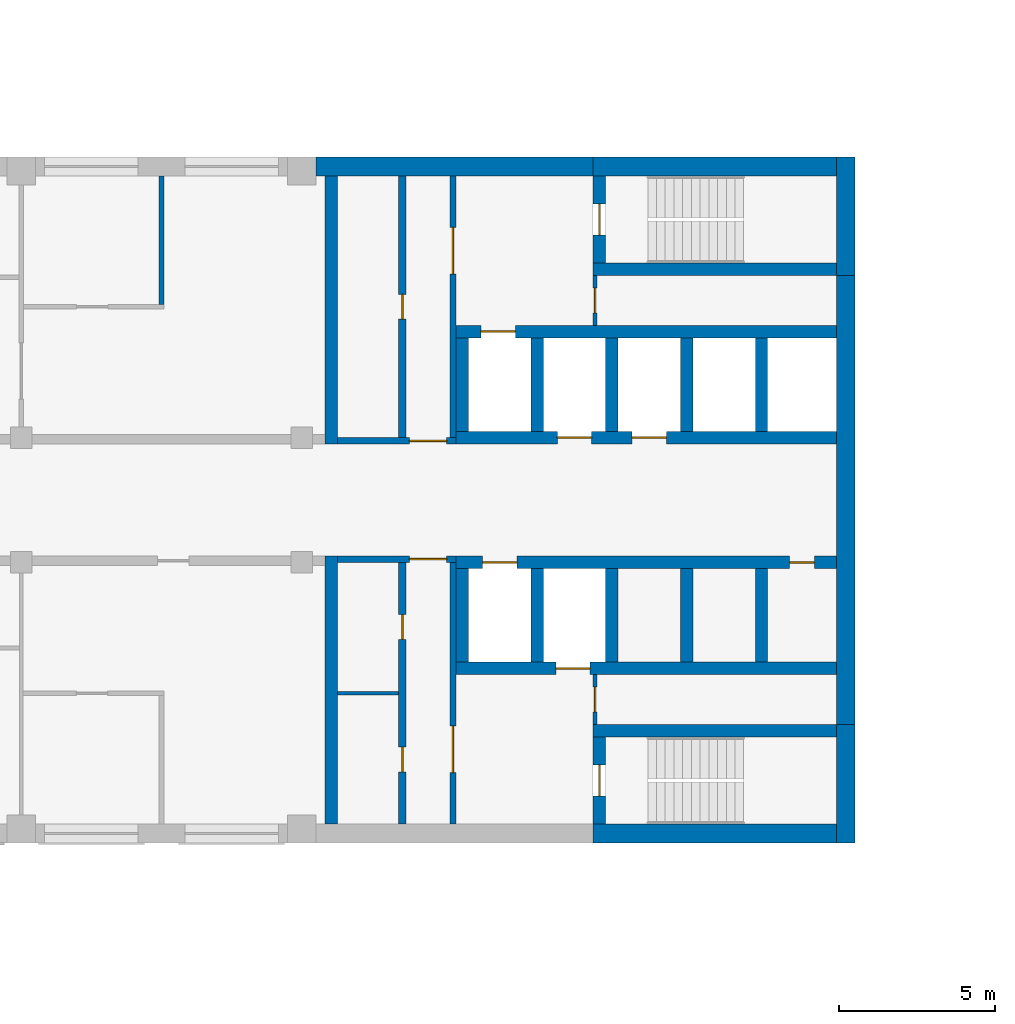
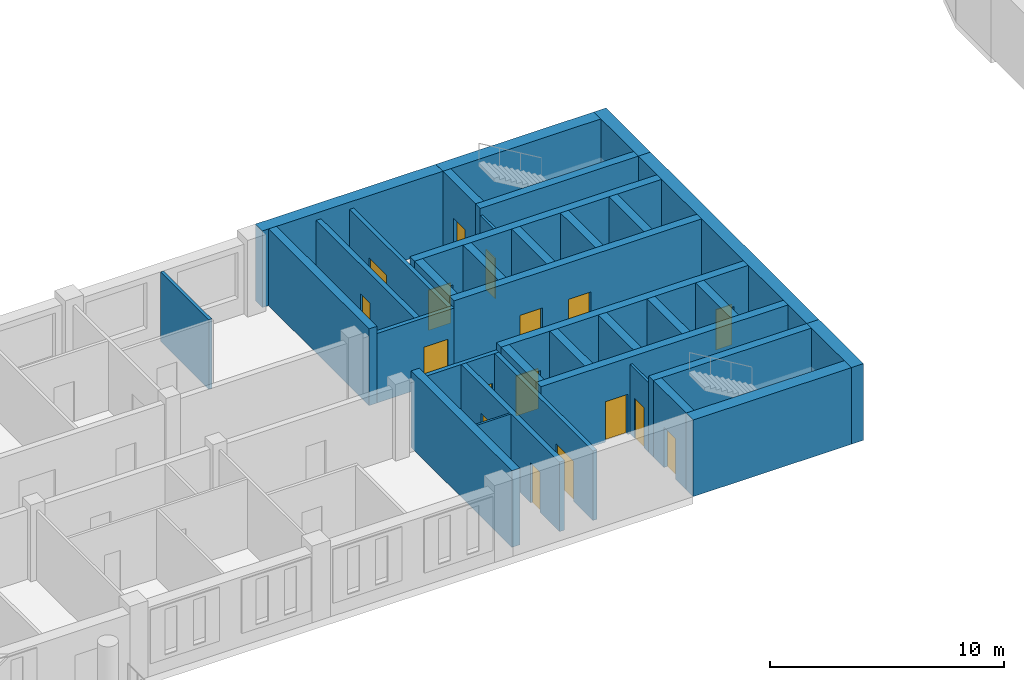
# One storey, part 6 of 15: 36 walls, 17 doors, 17 openings.
"""IFC4 building model written with IfcOpenShell, lengths in metres."""

import ifcopenshell
import ifcopenshell.guid

model = None  # the IFC model being written
_history = None  # IfcOwnerHistory: only IFC2X3 demands one
_inside = {}  # id of a spatial element -> (the spatial element, [elements in it])
_under = {}  # id of a project, library or spatial element -> (it, [spatial elements below it])
_declared = {}  # id of a project -> (the project, [libraries it declares])
_typed = {}  # id of a type object -> (the type object, [elements of that type])
_made_of = {}  # id of a material, layer set ... -> (it, [elements and type objects made of it])


def new_model(schema):
    """Start an empty IFC model of exactly this schema.

    Asked for "IFC4X3", IfcOpenShell would pick the latest addendum, in which some entities
    have other attributes; the version numbers below select the first issue.
    IFC2X3 requires an IfcOwnerHistory on every rooted entity: one is made here for all.
    """
    global model, _history
    if schema == "IFC4X3":
        model = ifcopenshell.file(schema_version=(4, 3, 0, 0))
    else:
        model = ifcopenshell.file(schema=schema)
    _inside.clear()
    _under.clear()
    _declared.clear()
    _typed.clear()
    _made_of.clear()
    _history = None
    if model.schema == "IFC2X3":
        org = make("IfcOrganization", Name="unknown")
        user = make(
            "IfcPersonAndOrganization",
            ThePerson=make("IfcPerson", FamilyName="unknown"),
            TheOrganization=org,
        )
        app = make(
            "IfcApplication",
            ApplicationDeveloper=org,
            Version="unknown",
            ApplicationFullName="unknown",
            ApplicationIdentifier="unknown",
        )
        _history = make(
            "IfcOwnerHistory",
            OwningUser=user,
            OwningApplication=app,
            ChangeAction="ADDED",
            CreationDate=0,
        )
    return model


def make(cls, **values):
    """One entity of the class cls with the attributes given. An attribute that is None is left unset."""
    return model.create_entity(
        cls, **{name: value for name, value in values.items() if value is not None}
    )


def rooted(cls, **values):
    """An entity with a GlobalId (a new one), such as an element, a storey or a relation."""
    return make(cls, GlobalId=ifcopenshell.guid.new(), OwnerHistory=_history, **values)


def si_unit(unit_type, name, prefix=None):
    """IfcSIUnit, for example si_unit("LENGTHUNIT", "METRE", prefix="MILLI")."""
    return make("IfcSIUnit", UnitType=unit_type, Prefix=prefix, Name=name)


def assignment(units):
    """IfcUnitAssignment: the units of a project."""
    return None if units is None else make("IfcUnitAssignment", Units=units)


def point(xyz):
    """IfcCartesianPoint."""
    return None if xyz is None else make("IfcCartesianPoint", Coordinates=xyz)


def direction(xyz):
    """IfcDirection."""
    return None if xyz is None else make("IfcDirection", DirectionRatios=xyz)


def frame(location, z_axis=None, x_axis=None):
    """IfcAxis2Placement3D, a coordinate frame: its origin and axes. An axis left out is left unset."""
    return make(
        "IfcAxis2Placement3D",
        Location=point(location),
        Axis=direction(z_axis),
        RefDirection=direction(x_axis),
    )


def frame_2d(location, x_axis=None):
    """IfcAxis2Placement2D, a coordinate frame in the plane: its origin and x axis."""
    return make(
        "IfcAxis2Placement2D", Location=point(location), RefDirection=direction(x_axis)
    )


def origin():
    """The frame at (0, 0, 0) with its axes left unset."""
    return frame((0.0, 0.0, 0.0))


def place(relative_to, where):
    """IfcLocalPlacement: puts the frame where relative to a parent placement (None: the world)."""
    return make(
        "IfcLocalPlacement", PlacementRelTo=relative_to, RelativePlacement=where
    )


def context(
    kind, dimensions, precision=None, world=None, true_north=None, identifier=None
):
    """IfcGeometricRepresentationContext, for example the 3D "Model" context."""
    return make(
        "IfcGeometricRepresentationContext",
        ContextIdentifier=identifier,
        ContextType=kind,
        CoordinateSpaceDimension=dimensions,
        Precision=precision,
        WorldCoordinateSystem=world,
        TrueNorth=true_north,
    )


def subcontext(parent, identifier, kind, view, scale=None):
    """IfcGeometricRepresentationSubContext, for example "Body" below "Model"."""
    return make(
        "IfcGeometricRepresentationSubContext",
        ContextIdentifier=identifier,
        ContextType=kind,
        ParentContext=parent,
        TargetScale=scale,
        TargetView=view,
    )


def project(units=None, contexts=None):
    """IfcProject with its units and contexts."""
    return rooted(
        "IfcProject",
        Name="project",
        RepresentationContexts=contexts,
        UnitsInContext=assignment(units),
    )


def spatial(cls, under=None, at=None, **own):
    """A site, building, storey or space (cls), placed at a placement, below another one or the project."""
    s = rooted(cls, ObjectPlacement=at, **own)
    if under is not None:
        _under.setdefault(under.id(), (under, []))[1].append(s)
    return s


def profile(cls, at=None, kind="AREA", **sizes):
    """A parametric profile (cls). Its sizes go by their IFC names, for example OverallWidth=200.0."""
    return make(cls, ProfileType=kind, Position=at, **sizes)


def rectangle(**sizes):
    """IfcRectangleProfileDef."""
    return profile("IfcRectangleProfileDef", **sizes)


def extrude(swept, where, along, depth):
    """IfcExtrudedAreaSolid: the profile swept, set in the frame where, extruded along a direction by depth."""
    return make(
        "IfcExtrudedAreaSolid",
        SweptArea=swept,
        Position=where,
        ExtrudedDirection=direction(along),
        Depth=depth,
    )


def shape(context_of_items, identifier, shape_type, items):
    """IfcShapeRepresentation: the items that make up one representation, for example the "Body"."""
    return make(
        "IfcShapeRepresentation",
        ContextOfItems=context_of_items,
        RepresentationIdentifier=identifier,
        RepresentationType=shape_type,
        Items=items,
    )


def material(Name=None, Category=None):
    """IfcMaterial."""
    return make("IfcMaterial", Name=Name, Category=Category)


def layer(
    of_material, thickness, ventilated=None, Name=None, Category=None, Priority=None
):
    """IfcMaterialLayer: one layer of a wall or slab, of a material (None: an air gap)."""
    return make(
        "IfcMaterialLayer",
        Material=of_material,
        LayerThickness=thickness,
        IsVentilated=ventilated,
        Name=Name,
        Category=Category,
        Priority=Priority,
    )


def layer_set(layers, Name=None):
    """IfcMaterialLayerSet."""
    return make("IfcMaterialLayerSet", MaterialLayers=layers, LayerSetName=Name)


def made_of(thing, what):
    """Note that an element or type object is made of a material, layer set ...; save() writes the relation."""
    if what is not None:
        _made_of.setdefault(what.id(), (what, []))[1].append(thing)
    return thing


def type_object(cls, material=None, **own):
    """A type object (cls), such as IfcWallType, which elements share."""
    return made_of(rooted(cls, **own), material)


def element(
    cls,
    number,
    at=None,
    inside=None,
    cuts=None,
    type_object=None,
    material=None,
    context=None,
    identifier="Body",
    shape_type=None,
    held_by="IfcProductDefinitionShape",
    body=None,
    shapes=None,
    **own,
):
    """One element of the class cls, such as IfcWall. Its Tag is "e" and its number.

    at: its placement. inside: the storey or other place that contains it. cuts: it is an
    opening in that element (IfcRelVoidsElement). A single representation is given by context,
    identifier, shape_type and body (its items); several are given by shapes. held_by: the class
    of the entity that holds the representations. save() writes the other relations.
    """
    e = rooted(cls, Tag="e%d" % number, ObjectPlacement=at, **own)
    if body is not None:
        shapes = [shape(context, identifier, shape_type, body)]
    if shapes is not None:
        e.Representation = make(held_by, Representations=shapes)
    if inside is not None:
        _inside.setdefault(inside.id(), (inside, []))[1].append(e)
    if cuts is not None:
        rooted(
            "IfcRelVoidsElement", RelatingBuildingElement=cuts, RelatedOpeningElement=e
        )
    if type_object is not None:
        _typed.setdefault(type_object.id(), (type_object, []))[1].append(e)
    return made_of(e, material)


def fill(opening, filler):
    """IfcRelFillsElement: the door or window that sits in an opening."""
    return rooted(
        "IfcRelFillsElement",
        RelatingOpeningElement=opening,
        RelatedBuildingElement=filler,
    )


def aggregate(whole, parts):
    """IfcRelAggregates: a whole, such as a stair, and the parts it consists of."""
    return rooted("IfcRelAggregates", RelatingObject=whole, RelatedObjects=parts)


def save(model, path):
    """Write the relations noted so far, then the file.

    IfcRelAggregates (storeys below a building ...), IfcRelContainedInSpatialStructure (elements
    in a storey), IfcRelDefinesByType, IfcRelAssociatesMaterial and IfcRelDeclares: one each for
    every whole, place, type object, material and project.
    """
    for whole, parts in _under.values():
        aggregate(whole, parts)
    for where, things in _inside.values():
        rooted(
            "IfcRelContainedInSpatialStructure",
            RelatedElements=things,
            RelatingStructure=where,
        )
    for kind, things in _typed.values():
        rooted("IfcRelDefinesByType", RelatedObjects=things, RelatingType=kind)
    for what, things in _made_of.values():
        rooted("IfcRelAssociatesMaterial", RelatedObjects=things, RelatingMaterial=what)
    for by, libraries in _declared.values():
        rooted("IfcRelDeclares", RelatingContext=by, RelatedDefinitions=libraries)
    model.write(path)


model = new_model("IFC4")

# Units and contexts
model_context = context("Model", 3, precision=1e-05, world=origin(), true_north=direction((0.0, 1.0)))
body_context = subcontext(model_context, "Body", "Model", "MODEL_VIEW")
ifc_project = project(units=[si_unit("LENGTHUNIT", "METRE"), si_unit("AREAUNIT", "SQUARE_METRE"), si_unit("VOLUMEUNIT", "CUBIC_METRE"), si_unit("PLANEANGLEUNIT", "RADIAN"), si_unit("MASSUNIT", "GRAM", prefix="KILO")], contexts=[model_context])

# Site, building, storey
site_placement = place(None, origin())
site = spatial("IfcSite", under=ifc_project, at=site_placement, CompositionType="ELEMENT")
building_placement = place(site_placement, origin())
building = spatial("IfcBuilding", under=site, at=building_placement, Name="Skarvind Civic Tower", CompositionType="ELEMENT")
storey_placement = place(building_placement, frame((0.0, 0.0, 55.5)))
storey = spatial("IfcBuildingStorey", under=building, at=storey_placement, Name="L12", CompositionType="ELEMENT", Elevation=55.5)

# Wall, opening, door
ifc_material_1 = material(Name="Fire-rated masonry partition", Category="masonry")
ifc_layer_1 = layer(ifc_material_1, 0.199951171875)
ifc_layer_set_1 = layer_set([ifc_layer_1], Name="Core enclosure wall 200")
wall_type_1 = type_object("IfcWallType", Name="Core enclosure wall 200", PredefinedType="PARTITIONING", material=ifc_layer_set_1)
wall_1_placement = place(storey_placement, frame((95.199951171875, 126.10009765625, 0.0), z_axis=(0.0, 0.0, 1.0), x_axis=(-1.0, 0.0, 0.0)))
wall_1 = element("IfcWall", 1, at=wall_1_placement, inside=storey, type_object=wall_type_1, Name="Core wall C1", PredefinedType="PARTITIONING", context=body_context, shape_type="SweptSolid", body=[
    extrude(rectangle(XDim=3.800048828125, YDim=0.199951171875, at=frame_2d((1.89990234375, 0.0))), origin(), (0.0, 0.0, 1.0), 3.625),
])
opening_1_placement = place(wall_1_placement, frame((0.300048828125, 0.0, 0.0)))
opening_1 = element("IfcOpeningElement", 2, at=opening_1_placement, cuts=wall_1, Name="Opening D-L12-C1-05", PredefinedType="OPENING", context=body_context, shape_type="SweptSolid", body=[
    extrude(rectangle(XDim=1.199951171875, YDim=2.10009765625, at=frame_2d((0.60009765625, 1.050048828125))), frame((0.0, 0.10986328125, 0.0), z_axis=(0.0, -1.0, 0.0), x_axis=(1.0, 0.0, 0.0)), (0.0, 0.0, 1.0), 0.219970703125),
])
ifc_material_2 = material(Name="Fire-rated steel door", Category="steel")
door_type_1 = type_object("IfcDoorType", Name="Core lobby door 1200", OperationType="NOTDEFINED", PredefinedType="DOOR", material=ifc_material_2)
door_1_placement = place(opening_1_placement, origin())
door_1 = element("IfcDoor", 3, at=door_1_placement, inside=storey, type_object=door_type_1, Name="Fire door", OperationType="DOUBLE_DOOR_SINGLE_SWING", OverallHeight=2.10009765625, OverallWidth=1.199951171875, PredefinedType="DOOR", context=body_context, shape_type="SweptSolid", body=[
    extrude(rectangle(XDim=1.199951171875, YDim=2.10009765625, at=frame_2d((0.60009765625, 1.050048828125))), frame((0.0, 0.02490234375, 0.0), z_axis=(0.0, -1.0, 0.0), x_axis=(1.0, 0.0, 0.0)), (0.0, 0.0, 1.0), 0.050048828125),
])
fill(opening_1, door_1)

wall_2_placement = place(storey_placement, frame((95.10009765625, 117.60009765625, 0.0), z_axis=(0.0, 0.0, 1.0), x_axis=(0.0, 1.0, 0.0)))
wall_2 = element("IfcWall", 4, at=wall_2_placement, inside=storey, type_object=wall_type_1, Name="Core wall C1", PredefinedType="PARTITIONING", context=body_context, shape_type="SweptSolid", body=[
    extrude(rectangle(XDim=8.39990234375, YDim=0.199951171875, at=frame_2d((4.199951171875, 0.0))), origin(), (0.0, 0.0, 1.0), 3.625),
])
opening_2_placement = place(wall_2_placement, frame((1.64990234375, 0.0, 0.0)))
opening_2 = element("IfcOpeningElement", 5, at=opening_2_placement, cuts=wall_2, Name="Opening D-L12-C1-06", PredefinedType="OPENING", context=body_context, shape_type="SweptSolid", body=[
    extrude(rectangle(XDim=1.5, YDim=2.10009765625, at=frame_2d((0.75, 1.050048828125))), frame((0.0, 0.10986328125, 0.0), z_axis=(0.0, -1.0, 0.0), x_axis=(1.0, 0.0, 0.0)), (0.0, 0.0, 1.0), 0.219970703125),
])
door_type_2 = type_object("IfcDoorType", Name="Fire door 1500", OperationType="NOTDEFINED", PredefinedType="DOOR", material=ifc_material_2)
door_2_placement = place(opening_2_placement, origin())
door_2 = element("IfcDoor", 6, at=door_2_placement, inside=storey, type_object=door_type_2, Name="Fire door", OperationType="DOUBLE_DOOR_SINGLE_SWING", OverallHeight=2.10009765625, OverallWidth=1.5, PredefinedType="DOOR", context=body_context, shape_type="SweptSolid", body=[
    extrude(rectangle(XDim=1.5, YDim=2.10009765625, at=frame_2d((0.75, 1.050048828125))), frame((0.0, 0.02490234375, 0.0), z_axis=(0.0, -1.0, 0.0), x_axis=(1.0, 0.0, 0.0)), (0.0, 0.0, 1.0), 0.050048828125),
])
fill(opening_2, door_2)

wall_3_placement = place(storey_placement, frame((91.39990234375, 129.89990234375, 0.0), z_axis=(0.0, 0.0, 1.0), x_axis=(1.0, 0.0, 0.0)))
wall_3 = element("IfcWall", 7, at=wall_3_placement, inside=storey, type_object=wall_type_1, Name="Core wall C1", PredefinedType="PARTITIONING", context=body_context, shape_type="SweptSolid", body=[
    extrude(rectangle(XDim=3.800048828125, YDim=0.199951171875, at=frame_2d((1.89990234375, 0.0))), origin(), (0.0, 0.0, 1.0), 3.625),
])
opening_3_placement = place(wall_3_placement, frame((2.300048828125, 0.0, 0.0)))
opening_3 = element("IfcOpeningElement", 8, at=opening_3_placement, cuts=wall_3, Name="Opening D-L12-C1-11", PredefinedType="OPENING", context=body_context, shape_type="SweptSolid", body=[
    extrude(rectangle(XDim=1.199951171875, YDim=2.10009765625, at=frame_2d((0.60009765625, 1.050048828125))), frame((0.0, 0.10986328125, 0.0), z_axis=(0.0, -1.0, 0.0), x_axis=(1.0, 0.0, 0.0)), (0.0, 0.0, 1.0), 0.219970703125),
])
door_3_placement = place(opening_3_placement, origin())
door_3 = element("IfcDoor", 9, at=door_3_placement, inside=storey, type_object=door_type_1, Name="Fire door", OperationType="DOUBLE_DOOR_SINGLE_SWING", OverallHeight=2.10009765625, OverallWidth=1.199951171875, PredefinedType="DOOR", context=body_context, shape_type="SweptSolid", body=[
    extrude(rectangle(XDim=1.199951171875, YDim=2.10009765625, at=frame_2d((0.60009765625, 1.050048828125))), frame((0.0, 0.02490234375, 0.0), z_axis=(0.0, -1.0, 0.0), x_axis=(1.0, 0.0, 0.0)), (0.0, 0.0, 1.0), 0.050048828125),
])
fill(opening_3, door_3)

wall_4_placement = place(storey_placement, frame((95.10009765625, 130.0, 0.0), z_axis=(0.0, 0.0, 1.0), x_axis=(0.0, 1.0, 0.0)))
wall_4 = element("IfcWall", 10, at=wall_4_placement, inside=storey, type_object=wall_type_1, Name="Core wall C1", PredefinedType="PARTITIONING", context=body_context, shape_type="SweptSolid", body=[
    extrude(rectangle(XDim=8.39990234375, YDim=0.199951171875, at=frame_2d((4.199951171875, 0.0))), origin(), (0.0, 0.0, 1.0), 3.625),
])
opening_4_placement = place(wall_4_placement, frame((5.25, 0.0, 0.0)))
opening_4 = element("IfcOpeningElement", 11, at=opening_4_placement, cuts=wall_4, Name="Opening D-L12-C1-12", PredefinedType="OPENING", context=body_context, shape_type="SweptSolid", body=[
    extrude(rectangle(XDim=1.5, YDim=2.10009765625, at=frame_2d((0.75, 1.050048828125))), frame((0.0, 0.10986328125, 0.0), z_axis=(0.0, -1.0, 0.0), x_axis=(1.0, 0.0, 0.0)), (0.0, 0.0, 1.0), 0.219970703125),
])
door_4_placement = place(opening_4_placement, origin())
door_4 = element("IfcDoor", 12, at=door_4_placement, inside=storey, type_object=door_type_2, Name="Fire door", OperationType="DOUBLE_DOOR_SINGLE_SWING", OverallHeight=2.10009765625, OverallWidth=1.5, PredefinedType="DOOR", context=body_context, shape_type="SweptSolid", body=[
    extrude(rectangle(XDim=1.5, YDim=2.10009765625, at=frame_2d((0.75, 1.050048828125))), frame((0.0, 0.02490234375, 0.0), z_axis=(0.0, -1.0, 0.0), x_axis=(1.0, 0.0, 0.0)), (0.0, 0.0, 1.0), 0.050048828125),
])
fill(opening_4, door_4)

# Walls
ifc_material_3 = material(Name="Fire-rated plasterboard partition")
ifc_layer_2 = layer(ifc_material_3, 0.10009765625)
ifc_layer_set_2 = layer_set([ifc_layer_2], Name="Core partition wall 100")
wall_type_2 = type_object("IfcWallType", Name="Core partition wall 100", PredefinedType="PARTITIONING", material=ifc_layer_set_2)
wall_5_placement = place(storey_placement, frame((93.35009765625, 121.800048828125, 0.0), z_axis=(0.0, 0.0, 1.0), x_axis=(-1.0, 0.0, 0.0)))
element("IfcWall", 13, at=wall_5_placement, inside=storey, type_object=wall_type_2, Name="Core wall C1", PredefinedType="PARTITIONING", context=body_context, shape_type="SweptSolid", body=[
    extrude(rectangle(XDim=1.9501953125, YDim=0.10009765625, at=frame_2d((0.97509765625, 0.0))), origin(), (0.0, 0.0, 1.0), 3.625),
])
ifc_material_4 = material(Name="Concrete C80", Category="concrete")
ifc_layer_3 = layer(ifc_material_4, 0.39990234375)
ifc_layer_set_3 = layer_set([ifc_layer_3], Name="Core wall 400 C80")
wall_type_3 = type_object("IfcWallType", Name="Core wall 400 C80", PredefinedType="SHEAR", material=ifc_layer_set_3)
wall_6_placement = place(storey_placement, frame((107.39990234375, 135.39990234375, 0.0), z_axis=(0.0, 0.0, 1.0), x_axis=(-1.0, 0.0, 0.0)))
element("IfcWall", 14, at=wall_6_placement, inside=storey, type_object=wall_type_3, Name="Core wall C1 south stair inner L12", PredefinedType="SHEAR", context=body_context, shape_type="SweptSolid", body=[
    extrude(rectangle(XDim=7.7998046875, YDim=0.39990234375, at=frame_2d((3.89990234375, 0.0))), origin(), (0.0, 0.0, 1.0), 4.0),
])

# Wall, opening, door
wall_7_placement = place(storey_placement, frame((99.800048828125, 138.39990234375, 0.0), z_axis=(0.0, 0.0, 1.0), x_axis=(0.0, -1.0, 0.0)))
wall_7 = element("IfcWall", 15, at=wall_7_placement, inside=storey, type_object=wall_type_3, Name="Core wall C1 south stair end L12", PredefinedType="SHEAR", context=body_context, shape_type="SweptSolid", body=[
    extrude(rectangle(XDim=2.7998046875, YDim=0.39990234375, at=frame_2d((1.39990234375, 0.0))), origin(), (0.0, 0.0, 1.0), 4.0),
])
opening_5_placement = place(wall_7_placement, frame((0.89990234375, 0.0, 0.0)))
opening_5 = element("IfcOpeningElement", 16, at=opening_5_placement, cuts=wall_7, Name="Opening D-L12-C1-13", PredefinedType="OPENING", context=body_context, shape_type="SweptSolid", body=[
    extrude(rectangle(XDim=1.0, YDim=2.10009765625, at=frame_2d((0.5, 1.050048828125))), frame((0.0, 0.2099609375, 0.0), z_axis=(0.0, -1.0, 0.0), x_axis=(1.0, 0.0, 0.0)), (0.0, 0.0, 1.0), 0.419921875),
])
door_type_3 = type_object("IfcDoorType", Name="Fire door 1000", OperationType="NOTDEFINED", PredefinedType="DOOR", material=ifc_material_2)
door_5_placement = place(opening_5_placement, origin())
door_5 = element("IfcDoor", 17, at=door_5_placement, inside=storey, type_object=door_type_3, Name="Fire door", OperationType="SINGLE_SWING_RIGHT", OverallHeight=2.10009765625, OverallWidth=1.0, PredefinedType="DOOR", context=body_context, shape_type="SweptSolid", body=[
    extrude(rectangle(XDim=1.0, YDim=2.10009765625, at=frame_2d((0.5, 1.050048828125))), frame((0.0, 0.02490234375, 0.0), z_axis=(0.0, -1.0, 0.0), x_axis=(1.0, 0.0, 0.0)), (0.0, 0.0, 1.0), 0.050048828125),
])
fill(opening_5, door_5)

# Wall
wall_8_placement = place(storey_placement, frame((107.39990234375, 120.60009765625, 0.0), z_axis=(0.0, 0.0, 1.0), x_axis=(-1.0, 0.0, 0.0)))
element("IfcWall", 18, at=wall_8_placement, inside=storey, type_object=wall_type_3, Name="Core wall C1 north stair inner L12", PredefinedType="SHEAR", context=body_context, shape_type="SweptSolid", body=[
    extrude(rectangle(XDim=7.7998046875, YDim=0.39990234375, at=frame_2d((3.89990234375, 0.0))), origin(), (0.0, 0.0, 1.0), 4.0),
])

# Wall, opening, door
wall_9_placement = place(storey_placement, frame((99.800048828125, 120.39990234375, 0.0), z_axis=(0.0, 0.0, 1.0), x_axis=(0.0, -1.0, 0.0)))
wall_9 = element("IfcWall", 19, at=wall_9_placement, inside=storey, type_object=wall_type_3, Name="Core wall C1 north stair end L12", PredefinedType="SHEAR", context=body_context, shape_type="SweptSolid", body=[
    extrude(rectangle(XDim=2.7998046875, YDim=0.39990234375, at=frame_2d((1.39990234375, 0.0))), origin(), (0.0, 0.0, 1.0), 4.0),
])
opening_6_placement = place(wall_9_placement, frame((0.89990234375, 0.0, 0.0)))
opening_6 = element("IfcOpeningElement", 20, at=opening_6_placement, cuts=wall_9, Name="Opening D-L12-C1-07", PredefinedType="OPENING", context=body_context, shape_type="SweptSolid", body=[
    extrude(rectangle(XDim=1.0, YDim=2.10009765625, at=frame_2d((0.5, 1.050048828125))), frame((0.0, 0.2099609375, 0.0), z_axis=(0.0, -1.0, 0.0), x_axis=(1.0, 0.0, 0.0)), (0.0, 0.0, 1.0), 0.419921875),
])
door_6_placement = place(opening_6_placement, origin())
door_6 = element("IfcDoor", 21, at=door_6_placement, inside=storey, type_object=door_type_3, Name="Fire door", OperationType="SINGLE_SWING_LEFT", OverallHeight=2.10009765625, OverallWidth=1.0, PredefinedType="DOOR", context=body_context, shape_type="SweptSolid", body=[
    extrude(rectangle(XDim=1.0, YDim=2.10009765625, at=frame_2d((0.5, 1.050048828125))), frame((0.0, 0.02490234375, 0.0), z_axis=(0.0, -1.0, 0.0), x_axis=(1.0, 0.0, 0.0)), (0.0, 0.0, 1.0), 0.050048828125),
])
fill(opening_6, door_6)

# Wall, openings, doors
wall_10_placement = place(storey_placement, frame((107.39990234375, 130.0, 0.0), z_axis=(0.0, 0.0, 1.0), x_axis=(-1.0, 0.0, 0.0)))
wall_10 = element("IfcWall", 22, at=wall_10_placement, inside=storey, type_object=wall_type_3, Name="Core wall C1 south lift row front L12", PredefinedType="SHEAR", context=body_context, shape_type="SweptSolid", body=[
    extrude(rectangle(XDim=12.199951171875, YDim=0.39990234375, at=frame_2d((6.10009765625, 0.0))), origin(), (0.0, 0.0, 1.0), 4.0),
])
opening_7_placement = place(wall_10_placement, frame((5.449951171875, 0.0, 0.0)))
opening_7 = element("IfcOpeningElement", 23, at=opening_7_placement, cuts=wall_10, Name="Opening LD14108", PredefinedType="OPENING", context=body_context, shape_type="SweptSolid", body=[
    extrude(rectangle(XDim=1.10009765625, YDim=2.10009765625, at=frame_2d((0.550048828125, 1.050048828125))), frame((0.0, 0.2099609375, 0.0), z_axis=(0.0, -1.0, 0.0), x_axis=(1.0, 0.0, 0.0)), (0.0, 0.0, 1.0), 0.419921875),
])
opening_8_placement = place(wall_10_placement, frame((7.85009765625, 0.0, 0.0)))
opening_8 = element("IfcOpeningElement", 24, at=opening_8_placement, cuts=wall_10, Name="Opening LD14109", PredefinedType="OPENING", context=body_context, shape_type="SweptSolid", body=[
    extrude(rectangle(XDim=1.10009765625, YDim=2.10009765625, at=frame_2d((0.550048828125, 1.050048828125))), frame((0.0, 0.2099609375, 0.0), z_axis=(0.0, -1.0, 0.0), x_axis=(1.0, 0.0, 0.0)), (0.0, 0.0, 1.0), 0.419921875),
])
ifc_material_5 = material(Name="Stainless steel landing door", Category="steel")
door_type_4 = type_object("IfcDoorType", Name="Lift landing door 1100", OperationType="DOUBLE_DOOR_SLIDING", PredefinedType="DOOR", material=ifc_material_5)
door_7_placement = place(opening_7_placement, origin())
door_7 = element("IfcDoor", 25, at=door_7_placement, inside=storey, type_object=door_type_4, Name="Lift landing door", OperationType="DOUBLE_DOOR_SLIDING", OverallHeight=2.10009765625, OverallWidth=1.10009765625, PredefinedType="DOOR", context=body_context, shape_type="SweptSolid", body=[
    extrude(rectangle(XDim=1.10009765625, YDim=2.10009765625, at=frame_2d((0.550048828125, 1.050048828125))), frame((0.0, 0.02490234375, 0.0), z_axis=(0.0, -1.0, 0.0), x_axis=(1.0, 0.0, 0.0)), (0.0, 0.0, 1.0), 0.050048828125),
])
fill(opening_7, door_7)
door_8_placement = place(opening_8_placement, origin())
door_8 = element("IfcDoor", 26, at=door_8_placement, inside=storey, type_object=door_type_4, Name="Lift landing door", OperationType="DOUBLE_DOOR_SLIDING", OverallHeight=2.10009765625, OverallWidth=1.10009765625, PredefinedType="DOOR", context=body_context, shape_type="SweptSolid", body=[
    extrude(rectangle(XDim=1.10009765625, YDim=2.10009765625, at=frame_2d((0.550048828125, 1.050048828125))), frame((0.0, 0.02490234375, 0.0), z_axis=(0.0, -1.0, 0.0), x_axis=(1.0, 0.0, 0.0)), (0.0, 0.0, 1.0), 0.050048828125),
])
fill(opening_8, door_8)

# Wall, opening, door
wall_11_placement = place(storey_placement, frame((107.39990234375, 133.39990234375, 0.0), z_axis=(0.0, 0.0, 1.0), x_axis=(-1.0, 0.0, 0.0)))
wall_11 = element("IfcWall", 27, at=wall_11_placement, inside=storey, type_object=wall_type_3, Name="Core wall C1 south lift row back L12", PredefinedType="SHEAR", context=body_context, shape_type="SweptSolid", body=[
    extrude(rectangle(XDim=12.199951171875, YDim=0.39990234375, at=frame_2d((6.10009765625, 0.0))), origin(), (0.0, 0.0, 1.0), 4.0),
])
opening_9_placement = place(wall_11_placement, frame((10.300048828125, 0.0, 0.0)))
opening_9 = element("IfcOpeningElement", 28, at=opening_9_placement, cuts=wall_11, Name="Opening LD14110", PredefinedType="OPENING", context=body_context, shape_type="SweptSolid", body=[
    extrude(rectangle(XDim=1.10009765625, YDim=2.10009765625, at=frame_2d((0.550048828125, 1.050048828125))), frame((0.0, 0.2099609375, 0.0), z_axis=(0.0, -1.0, 0.0), x_axis=(1.0, 0.0, 0.0)), (0.0, 0.0, 1.0), 0.419921875),
])
door_9_placement = place(opening_9_placement, origin())
door_9 = element("IfcDoor", 29, at=door_9_placement, inside=storey, type_object=door_type_4, Name="Lift landing door", OperationType="DOUBLE_DOOR_SLIDING", OverallHeight=2.10009765625, OverallWidth=1.10009765625, PredefinedType="DOOR", context=body_context, shape_type="SweptSolid", body=[
    extrude(rectangle(XDim=1.10009765625, YDim=2.10009765625, at=frame_2d((0.550048828125, 1.050048828125))), frame((0.0, 0.02490234375, 0.0), z_axis=(0.0, -1.0, 0.0), x_axis=(1.0, 0.0, 0.0)), (0.0, 0.0, 1.0), 0.050048828125),
])
fill(opening_9, door_9)

# Walls
for number, where, z_axis, x_axis, name in (
    (30, (105.0, 133.199951171875, 0.0), (0.0, 0.0, 1.0), (0.0, -1.0, 0.0), "Core wall C1 south lift row division 1 L12"),
    (31, (102.60009765625, 133.199951171875, 0.0), (0.0, 0.0, 1.0), (0.0, -1.0, 0.0), "Core wall C1 south lift row division 2 L12"),
    (32, (100.199951171875, 133.199951171875, 0.0), (0.0, 0.0, 1.0), (0.0, -1.0, 0.0), "Core wall C1 south lift row division 3 L12"),
    (33, (97.800048828125, 133.199951171875, 0.0), (0.0, 0.0, 1.0), (0.0, -1.0, 0.0), "Core wall C1 south lift row division 4 L12"),
    (34, (95.39990234375, 133.199951171875, 0.0), (0.0, 0.0, 1.0), (0.0, -1.0, 0.0), "Core wall C1 south lift row division 5 L12"),
):
    element("IfcWall", number, at=place(storey_placement, frame(where, z_axis=z_axis, x_axis=x_axis)), inside=storey, type_object=wall_type_3, Name=name, PredefinedType="SHEAR", context=body_context, shape_type="SweptSolid", body=[
        extrude(rectangle(XDim=3.0, YDim=0.39990234375, at=frame_2d((1.5, 0.0))), origin(), (0.0, 0.0, 1.0), 4.0),
    ])

# Wall, openings, doors
wall_12_placement = place(storey_placement, frame((107.39990234375, 126.0, 0.0), z_axis=(0.0, 0.0, 1.0), x_axis=(-1.0, 0.0, 0.0)))
wall_12 = element("IfcWall", 35, at=wall_12_placement, inside=storey, type_object=wall_type_3, Name="Core wall C1 north lift row front L12", PredefinedType="SHEAR", context=body_context, shape_type="SweptSolid", body=[
    extrude(rectangle(XDim=12.199951171875, YDim=0.39990234375, at=frame_2d((6.10009765625, 0.0))), origin(), (0.0, 0.0, 1.0), 4.0),
])
opening_10_placement = place(wall_12_placement, frame((10.25, 0.0, 0.0)))
opening_10 = element("IfcOpeningElement", 36, at=opening_10_placement, cuts=wall_12, Name="Opening LD14105", PredefinedType="OPENING", context=body_context, shape_type="SweptSolid", body=[
    extrude(rectangle(XDim=1.10009765625, YDim=2.10009765625, at=frame_2d((0.550048828125, 1.050048828125))), frame((0.0, 0.2099609375, 0.0), z_axis=(0.0, -1.0, 0.0), x_axis=(1.0, 0.0, 0.0)), (0.0, 0.0, 1.0), 0.419921875),
])
opening_11_placement = place(wall_12_placement, frame((0.699951171875, 0.0, 0.0)))
opening_11 = element("IfcOpeningElement", 37, at=opening_11_placement, cuts=wall_12, Name="Opening D-L12-C1-04", PredefinedType="OPENING", context=body_context, shape_type="SweptSolid", body=[
    extrude(rectangle(XDim=0.800048828125, YDim=2.10009765625, at=frame_2d((0.39990234375, 1.050048828125))), frame((0.0, 0.2099609375, 0.0), z_axis=(0.0, -1.0, 0.0), x_axis=(1.0, 0.0, 0.0)), (0.0, 0.0, 1.0), 0.419921875),
])
door_type_5 = type_object("IfcDoorType", Name="Core riser door 800", OperationType="NOTDEFINED", PredefinedType="DOOR", material=ifc_material_2)
door_10_placement = place(opening_11_placement, origin())
door_10 = element("IfcDoor", 38, at=door_10_placement, inside=storey, type_object=door_type_5, Name="Riser door", OperationType="SINGLE_SWING_LEFT", OverallHeight=2.10009765625, OverallWidth=0.800048828125, PredefinedType="DOOR", context=body_context, shape_type="SweptSolid", body=[
    extrude(rectangle(XDim=0.800048828125, YDim=2.10009765625, at=frame_2d((0.39990234375, 1.050048828125))), frame((0.0, 0.02490234375, 0.0), z_axis=(0.0, -1.0, 0.0), x_axis=(1.0, 0.0, 0.0)), (0.0, 0.0, 1.0), 0.050048828125),
])
fill(opening_11, door_10)
door_11_placement = place(opening_10_placement, origin())
door_11 = element("IfcDoor", 39, at=door_11_placement, inside=storey, type_object=door_type_4, Name="Lift landing door", OperationType="DOUBLE_DOOR_SLIDING", OverallHeight=2.10009765625, OverallWidth=1.10009765625, PredefinedType="DOOR", context=body_context, shape_type="SweptSolid", body=[
    extrude(rectangle(XDim=1.10009765625, YDim=2.10009765625, at=frame_2d((0.550048828125, 1.050048828125))), frame((0.0, 0.02490234375, 0.0), z_axis=(0.0, -1.0, 0.0), x_axis=(1.0, 0.0, 0.0)), (0.0, 0.0, 1.0), 0.050048828125),
])
fill(opening_10, door_11)

# Wall, opening, door
wall_13_placement = place(storey_placement, frame((107.39990234375, 122.60009765625, 0.0), z_axis=(0.0, 0.0, 1.0), x_axis=(-1.0, 0.0, 0.0)))
wall_13 = element("IfcWall", 40, at=wall_13_placement, inside=storey, type_object=wall_type_3, Name="Core wall C1 north lift row back L12", PredefinedType="SHEAR", context=body_context, shape_type="SweptSolid", body=[
    extrude(rectangle(XDim=12.199951171875, YDim=0.39990234375, at=frame_2d((6.10009765625, 0.0))), origin(), (0.0, 0.0, 1.0), 4.0),
])
opening_12_placement = place(wall_13_placement, frame((7.89990234375, 0.0, 0.0)))
opening_12 = element("IfcOpeningElement", 41, at=opening_12_placement, cuts=wall_13, Name="Opening LD14104", PredefinedType="OPENING", context=body_context, shape_type="SweptSolid", body=[
    extrude(rectangle(XDim=1.10009765625, YDim=2.10009765625, at=frame_2d((0.550048828125, 1.050048828125))), frame((0.0, 0.2099609375, 0.0), z_axis=(0.0, -1.0, 0.0), x_axis=(1.0, 0.0, 0.0)), (0.0, 0.0, 1.0), 0.419921875),
])
door_12_placement = place(opening_12_placement, origin())
door_12 = element("IfcDoor", 42, at=door_12_placement, inside=storey, type_object=door_type_4, Name="Lift landing door", OperationType="DOUBLE_DOOR_SLIDING", OverallHeight=2.10009765625, OverallWidth=1.10009765625, PredefinedType="DOOR", context=body_context, shape_type="SweptSolid", body=[
    extrude(rectangle(XDim=1.10009765625, YDim=2.10009765625, at=frame_2d((0.550048828125, 1.050048828125))), frame((0.0, 0.02490234375, 0.0), z_axis=(0.0, -1.0, 0.0), x_axis=(1.0, 0.0, 0.0)), (0.0, 0.0, 1.0), 0.050048828125),
])
fill(opening_12, door_12)

# Walls
for number, where, z_axis, x_axis, name in (
    (43, (105.0, 125.800048828125, 0.0), (0.0, 0.0, 1.0), (0.0, -1.0, 0.0), "Core wall C1 north lift row division 1 L12"),
    (44, (102.60009765625, 125.800048828125, 0.0), (0.0, 0.0, 1.0), (0.0, -1.0, 0.0), "Core wall C1 north lift row division 2 L12"),
    (45, (100.199951171875, 125.800048828125, 0.0), (0.0, 0.0, 1.0), (0.0, -1.0, 0.0), "Core wall C1 north lift row division 3 L12"),
    (46, (97.800048828125, 125.800048828125, 0.0), (0.0, 0.0, 1.0), (0.0, -1.0, 0.0), "Core wall C1 north lift row division 4 L12"),
    (47, (95.39990234375, 125.800048828125, 0.0), (0.0, 0.0, 1.0), (0.0, -1.0, 0.0), "Core wall C1 north lift row division 5 L12"),
):
    element("IfcWall", number, at=place(storey_placement, frame(where, z_axis=z_axis, x_axis=x_axis)), inside=storey, type_object=wall_type_3, Name=name, PredefinedType="SHEAR", context=body_context, shape_type="SweptSolid", body=[
        extrude(rectangle(XDim=3.0, YDim=0.39990234375, at=frame_2d((1.5, 0.0))), origin(), (0.0, 0.0, 1.0), 4.0),
    ])
for number, where, z_axis, x_axis, name in (
    (48, (91.199951171875, 138.39990234375, 0.0), (0.0, 0.0, 1.0), (0.0, -1.0, 0.0), "Core wall C1 south inner face L12"),
    (49, (91.199951171875, 126.199951171875, 0.0), (0.0, 0.0, 1.0), (0.0, -1.0, 0.0), "Core wall C1 north inner face L12"),
):
    element("IfcWall", number, at=place(storey_placement, frame(where, z_axis=z_axis, x_axis=x_axis)), inside=storey, type_object=wall_type_3, Name=name, PredefinedType="SHEAR", context=body_context, shape_type="SweptSolid", body=[
        extrude(rectangle(XDim=8.599853515625, YDim=0.39990234375, at=frame_2d((4.2998046875, 0.0))), origin(), (0.0, 0.0, 1.0), 4.0),
    ])
ifc_layer_4 = layer(ifc_material_4, 0.60009765625)
ifc_layer_set_4 = layer_set([ifc_layer_4], Name="Core wall 600 C80")
wall_type_4 = type_object("IfcWallType", Name="Core wall 600 C80", PredefinedType="SHEAR", material=ifc_layer_set_4)
wall_14_placement = place(storey_placement, frame((107.699951171875, 139.0, 0.0), z_axis=(0.0, 0.0, 1.0), x_axis=(0.0, -1.0, 0.0)))
element("IfcWall", 50, at=wall_14_placement, inside=storey, type_object=wall_type_4, Name="Core wall C1 tip at the south stair L12", PredefinedType="SHEAR", context=body_context, shape_type="SweptSolid", body=[
    extrude(rectangle(XDim=3.800048828125, YDim=0.60009765625, at=frame_2d((1.89990234375, 0.0))), origin(), (0.0, 0.0, 1.0), 4.0),
])
wall_15_placement = place(storey_placement, frame((107.699951171875, 135.199951171875, 0.0), z_axis=(0.0, 0.0, 1.0), x_axis=(0.0, -1.0, 0.0)))
element("IfcWall", 51, at=wall_15_placement, inside=storey, type_object=wall_type_4, Name="Core wall C1 tip between the stairs L12", PredefinedType="SHEAR", context=body_context, shape_type="SweptSolid", body=[
    extrude(rectangle(XDim=14.39990234375, YDim=0.60009765625, at=frame_2d((7.199951171875, 0.0))), origin(), (0.0, 0.0, 1.0), 4.0),
])
wall_16_placement = place(storey_placement, frame((107.699951171875, 120.800048828125, 0.0), z_axis=(0.0, 0.0, 1.0), x_axis=(0.0, -1.0, 0.0)))
element("IfcWall", 52, at=wall_16_placement, inside=storey, type_object=wall_type_4, Name="Core wall C1 tip at the north stair L12", PredefinedType="SHEAR", context=body_context, shape_type="SweptSolid", body=[
    extrude(rectangle(XDim=3.800048828125, YDim=0.60009765625, at=frame_2d((1.89990234375, 0.0))), origin(), (0.0, 0.0, 1.0), 4.0),
])
for number, where, z_axis, x_axis, name in (
    (53, (107.39990234375, 138.699951171875, 0.0), (0.0, 0.0, 1.0), (-1.0, 0.0, 0.0), "Core wall C1 south side at the stair L12"),
    (54, (107.39990234375, 117.300048828125, 0.0), (0.0, 0.0, 1.0), (-1.0, 0.0, 0.0), "Core wall C1 north side at the stair L12"),
):
    element("IfcWall", number, at=place(storey_placement, frame(where, z_axis=z_axis, x_axis=x_axis)), inside=storey, type_object=wall_type_4, Name=name, PredefinedType="SHEAR", context=body_context, shape_type="SweptSolid", body=[
        extrude(rectangle(XDim=7.7998046875, YDim=0.60009765625, at=frame_2d((3.89990234375, 0.0))), origin(), (0.0, 0.0, 1.0), 4.0),
    ])
wall_17_placement = place(storey_placement, frame((99.60009765625, 138.699951171875, 0.0), z_axis=(0.0, 0.0, 1.0), x_axis=(-1.0, 0.0, 0.0)))
element("IfcWall", 55, at=wall_17_placement, inside=storey, type_object=wall_type_4, Name="Core wall C1 south side L12", PredefinedType="SHEAR", context=body_context, shape_type="SweptSolid", body=[
    extrude(rectangle(XDim=8.900146484375, YDim=0.60009765625, at=frame_2d((4.4501953125, 0.0))), origin(), (0.0, 0.0, 1.0), 4.0),
])
ifc_material_6 = material(Name="Plasterboard partition on steel studs", Category="steel")
ifc_layer_5 = layer(ifc_material_6, 0.14990234375)
ifc_layer_set_5 = layer_set([ifc_layer_5], Name="PARTITION 150")
wall_type_5 = type_object("IfcWallType", Name="PARTITION 150", PredefinedType="PARTITIONING", material=ifc_layer_set_5)
wall_18_placement = place(storey_placement, frame((85.75, 134.27490234375, 0.0), z_axis=(0.0, 0.0, 1.0), x_axis=(0.0, 1.0, 0.0)))
element("IfcWall", 56, at=wall_18_placement, inside=storey, type_object=wall_type_5, Name="Partition 12.042", PredefinedType="PARTITIONING", context=body_context, shape_type="SweptSolid", body=[
    extrude(rectangle(XDim=4.125, YDim=0.14990234375, at=frame_2d((2.0625, 0.0))), origin(), (0.0, 0.0, 1.0), 3.625),
])

# Wall, opening, door
ifc_layer_6 = layer(ifc_material_1, 0.125)
ifc_layer_set_6 = layer_set([ifc_layer_6], Name="Riser wall 125")
wall_type_6 = type_object("IfcWallType", Name="Riser wall 125", PredefinedType="PARTITIONING", material=ifc_layer_set_6)
wall_19_placement = place(storey_placement, frame((99.66259765625, 120.800048828125, 0.0), z_axis=(0.0, 0.0, 1.0), x_axis=(0.0, 1.0, 0.0)))
wall_19 = element("IfcWall", 57, at=wall_19_placement, inside=storey, type_object=wall_type_6, Name="Core wall C1", PredefinedType="PARTITIONING", context=body_context, shape_type="SweptSolid", body=[
    extrude(rectangle(XDim=1.599853515625, YDim=0.125, at=frame_2d((0.7998046875, 0.0))), origin(), (0.0, 0.0, 1.0), 3.625),
])
opening_13_placement = place(wall_19_placement, frame((0.39990234375, 0.0, 0.0)))
opening_13 = element("IfcOpeningElement", 58, at=opening_13_placement, cuts=wall_19, Name="Opening D-L12-C1-08", PredefinedType="OPENING", context=body_context, shape_type="SweptSolid", body=[
    extrude(rectangle(XDim=0.800048828125, YDim=2.10009765625, at=frame_2d((0.39990234375, 1.050048828125))), frame((0.0, 0.072509765625, 0.0), z_axis=(0.0, -1.0, 0.0), x_axis=(1.0, 0.0, 0.0)), (0.0, 0.0, 1.0), 0.14501953125),
])
door_13_placement = place(opening_13_placement, origin())
door_13 = element("IfcDoor", 59, at=door_13_placement, inside=storey, type_object=door_type_5, Name="Riser door", OperationType="SINGLE_SWING_RIGHT", OverallHeight=2.10009765625, OverallWidth=0.800048828125, PredefinedType="DOOR", context=body_context, shape_type="SweptSolid", body=[
    extrude(rectangle(XDim=0.800048828125, YDim=2.10009765625, at=frame_2d((0.39990234375, 1.050048828125))), frame((0.0, 0.02490234375, 0.0), z_axis=(0.0, -1.0, 0.0), x_axis=(1.0, 0.0, 0.0)), (0.0, 0.0, 1.0), 0.050048828125),
])
fill(opening_13, door_13)

wall_20_placement = place(storey_placement, frame((99.66259765625, 133.60009765625, 0.0), z_axis=(0.0, 0.0, 1.0), x_axis=(0.0, 1.0, 0.0)))
wall_20 = element("IfcWall", 60, at=wall_20_placement, inside=storey, type_object=wall_type_6, Name="Core wall C1", PredefinedType="PARTITIONING", context=body_context, shape_type="SweptSolid", body=[
    extrude(rectangle(XDim=1.599853515625, YDim=0.125, at=frame_2d((0.7998046875, 0.0))), origin(), (0.0, 0.0, 1.0), 3.625),
])
opening_14_placement = place(wall_20_placement, frame((0.39990234375, 0.0, 0.0)))
opening_14 = element("IfcOpeningElement", 61, at=opening_14_placement, cuts=wall_20, Name="Opening D-L12-C1-14", PredefinedType="OPENING", context=body_context, shape_type="SweptSolid", body=[
    extrude(rectangle(XDim=0.800048828125, YDim=2.10009765625, at=frame_2d((0.39990234375, 1.050048828125))), frame((0.0, 0.072509765625, 0.0), z_axis=(0.0, -1.0, 0.0), x_axis=(1.0, 0.0, 0.0)), (0.0, 0.0, 1.0), 0.14501953125),
])
door_14_placement = place(opening_14_placement, origin())
door_14 = element("IfcDoor", 62, at=door_14_placement, inside=storey, type_object=door_type_5, Name="Riser door", OperationType="SINGLE_SWING_LEFT", OverallHeight=2.10009765625, OverallWidth=0.800048828125, PredefinedType="DOOR", context=body_context, shape_type="SweptSolid", body=[
    extrude(rectangle(XDim=0.800048828125, YDim=2.10009765625, at=frame_2d((0.39990234375, 1.050048828125))), frame((0.0, 0.02490234375, 0.0), z_axis=(0.0, -1.0, 0.0), x_axis=(1.0, 0.0, 0.0)), (0.0, 0.0, 1.0), 0.050048828125),
])
fill(opening_14, door_14)

# Wall, openings, doors
ifc_layer_7 = layer(ifc_material_1, 0.25)
ifc_layer_set_7 = layer_set([ifc_layer_7], Name="Service block wall 250")
wall_type_7 = type_object("IfcWallType", Name="Service block wall 250", PredefinedType="PARTITIONING", material=ifc_layer_set_7)
wall_21_placement = place(storey_placement, frame((93.47509765625, 117.60009765625, 0.0), z_axis=(0.0, 0.0, 1.0), x_axis=(0.0, 1.0, 0.0)))
wall_21 = element("IfcWall", 63, at=wall_21_placement, inside=storey, type_object=wall_type_7, Name="Core wall C1", PredefinedType="PARTITIONING", context=body_context, shape_type="SweptSolid", body=[
    extrude(rectangle(XDim=8.39990234375, YDim=0.25, at=frame_2d((4.199951171875, 0.0))), origin(), (0.0, 0.0, 1.0), 3.625),
])
opening_15_placement = place(wall_21_placement, frame((5.925048828125, 0.0, 0.0)))
opening_15 = element("IfcOpeningElement", 64, at=opening_15_placement, cuts=wall_21, Name="Opening D-L12-C1-09", PredefinedType="OPENING", context=body_context, shape_type="SweptSolid", body=[
    extrude(rectangle(XDim=0.800048828125, YDim=2.10009765625, at=frame_2d((0.39990234375, 1.050048828125))), frame((0.0, 0.135009765625, 0.0), z_axis=(0.0, -1.0, 0.0), x_axis=(1.0, 0.0, 0.0)), (0.0, 0.0, 1.0), 0.27001953125),
])
opening_16_placement = place(wall_21_placement, frame((1.675048828125, 0.0, 0.0)))
opening_16 = element("IfcOpeningElement", 65, at=opening_16_placement, cuts=wall_21, Name="Opening D-L12-C1-10", PredefinedType="OPENING", context=body_context, shape_type="SweptSolid", body=[
    extrude(rectangle(XDim=0.800048828125, YDim=2.10009765625, at=frame_2d((0.39990234375, 1.050048828125))), frame((0.0, 0.135009765625, 0.0), z_axis=(0.0, -1.0, 0.0), x_axis=(1.0, 0.0, 0.0)), (0.0, 0.0, 1.0), 0.27001953125),
])
door_15_placement = place(opening_15_placement, origin())
door_15 = element("IfcDoor", 66, at=door_15_placement, inside=storey, type_object=door_type_5, Name="Riser door", OperationType="SINGLE_SWING_LEFT", OverallHeight=2.10009765625, OverallWidth=0.800048828125, PredefinedType="DOOR", context=body_context, shape_type="SweptSolid", body=[
    extrude(rectangle(XDim=0.800048828125, YDim=2.10009765625, at=frame_2d((0.39990234375, 1.050048828125))), frame((0.0, 0.02490234375, 0.0), z_axis=(0.0, -1.0, 0.0), x_axis=(1.0, 0.0, 0.0)), (0.0, 0.0, 1.0), 0.050048828125),
])
fill(opening_15, door_15)
door_16_placement = place(opening_16_placement, origin())
door_16 = element("IfcDoor", 67, at=door_16_placement, inside=storey, type_object=door_type_5, Name="Riser door", OperationType="SINGLE_SWING_RIGHT", OverallHeight=2.10009765625, OverallWidth=0.800048828125, PredefinedType="DOOR", context=body_context, shape_type="SweptSolid", body=[
    extrude(rectangle(XDim=0.800048828125, YDim=2.10009765625, at=frame_2d((0.39990234375, 1.050048828125))), frame((0.0, 0.02490234375, 0.0), z_axis=(0.0, -1.0, 0.0), x_axis=(1.0, 0.0, 0.0)), (0.0, 0.0, 1.0), 0.050048828125),
])
fill(opening_16, door_16)

# Wall, opening, door
wall_22_placement = place(storey_placement, frame((93.47509765625, 130.0, 0.0), z_axis=(0.0, 0.0, 1.0), x_axis=(0.0, 1.0, 0.0)))
wall_22 = element("IfcWall", 68, at=wall_22_placement, inside=storey, type_object=wall_type_7, Name="Core wall C1", PredefinedType="PARTITIONING", context=body_context, shape_type="SweptSolid", body=[
    extrude(rectangle(XDim=8.39990234375, YDim=0.25, at=frame_2d((4.199951171875, 0.0))), origin(), (0.0, 0.0, 1.0), 3.625),
])
opening_17_placement = place(wall_22_placement, frame((3.800048828125, 0.0, 0.0)))
opening_17 = element("IfcOpeningElement", 69, at=opening_17_placement, cuts=wall_22, Name="Opening D-L12-C1-15", PredefinedType="OPENING", context=body_context, shape_type="SweptSolid", body=[
    extrude(rectangle(XDim=0.800048828125, YDim=2.10009765625, at=frame_2d((0.39990234375, 1.050048828125))), frame((0.0, 0.135009765625, 0.0), z_axis=(0.0, -1.0, 0.0), x_axis=(1.0, 0.0, 0.0)), (0.0, 0.0, 1.0), 0.27001953125),
])
door_17_placement = place(opening_17_placement, origin())
door_17 = element("IfcDoor", 70, at=door_17_placement, inside=storey, type_object=door_type_5, Name="Riser door", OperationType="SINGLE_SWING_RIGHT", OverallHeight=2.10009765625, OverallWidth=0.800048828125, PredefinedType="DOOR", context=body_context, shape_type="SweptSolid", body=[
    extrude(rectangle(XDim=0.800048828125, YDim=2.10009765625, at=frame_2d((0.39990234375, 1.050048828125))), frame((0.0, 0.02490234375, 0.0), z_axis=(0.0, -1.0, 0.0), x_axis=(1.0, 0.0, 0.0)), (0.0, 0.0, 1.0), 0.050048828125),
])
fill(opening_17, door_17)

save(model, "model.ifc")
